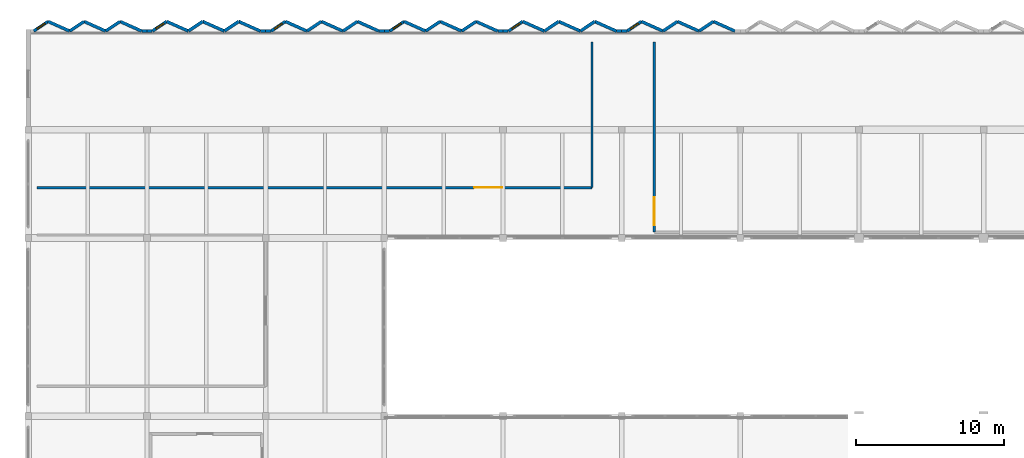
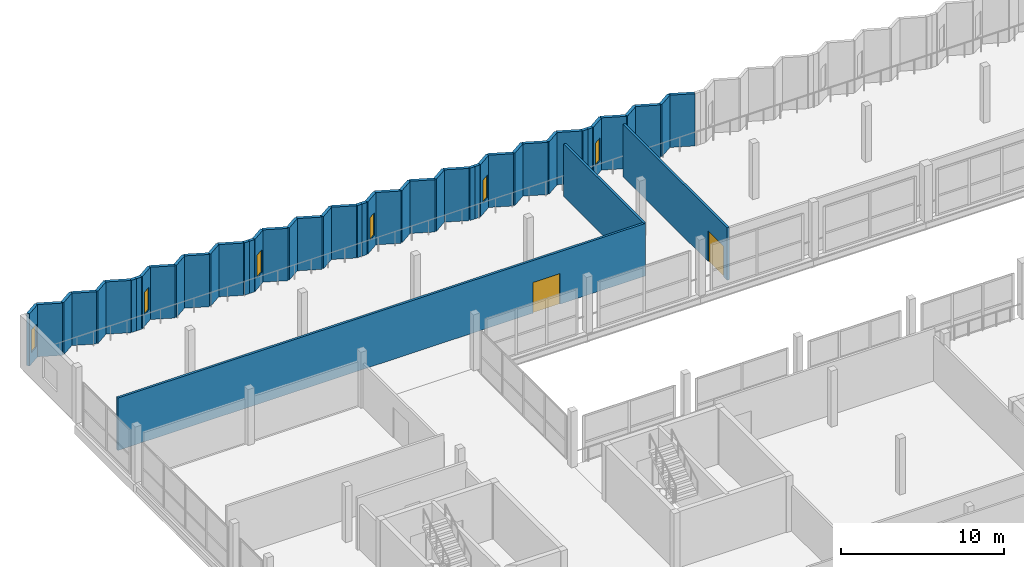
# One storey, part 40 of 53: 49 walls, 6 windows, 2 doors, 8 openings.
"""IFC4 building model written with IfcOpenShell, lengths in metres."""

from ifc_helpers import new_model, si_unit, direction, frame, frame_2d, origin, place, context, subcontext, project, spatial, rectangle, extrude, material, layer, layer_set, type_object, element, fill, save


model = new_model("IFC4")

# Units and contexts
model_context = context("Model", 3, precision=1e-05, world=origin(), true_north=direction((0.0, 1.0)))
body_context = subcontext(model_context, "Body", "Model", "MODEL_VIEW")
ifc_project = project(units=[si_unit("LENGTHUNIT", "METRE"), si_unit("AREAUNIT", "SQUARE_METRE"), si_unit("VOLUMEUNIT", "CUBIC_METRE"), si_unit("PLANEANGLEUNIT", "RADIAN"), si_unit("MASSUNIT", "GRAM", prefix="KILO")], contexts=[model_context])

# Site, building, storey
site_placement = place(None, origin())
site = spatial("IfcSite", under=ifc_project, at=site_placement, CompositionType="ELEMENT")
building_placement = place(site_placement, origin())
building = spatial("IfcBuilding", under=site, at=building_placement, Name="Vharandega Faculty of Natural Sciences", CompositionType="ELEMENT")
storey_placement = place(building_placement, frame((0.0, 0.0, 10.199951171875)))
storey = spatial("IfcBuildingStorey", under=building, at=storey_placement, Name="L02", CompositionType="ELEMENT", Elevation=10.199951171875)

# Walls
ifc_material_1 = material(Name="Precast concrete C40/50", Category="concrete")
ifc_layer_1 = layer(ifc_material_1, 0.2099609375, Name="Precast concrete C40/50")
ifc_layer_set_1 = layer_set([ifc_layer_1], Name="Precast concrete C40/50")
wall_type_1 = type_object("IfcWallType", Name="Commons Sawtooth Street Wall 210", PredefinedType="SOLIDWALL", material=ifc_layer_set_1)
for number, where, z_axis, x_axis, name in (
    (1, (7.64990234375, 110.949951171875, 0.0), (0.0, 0.0, 1.0), (1.0, 0.0, 0.0), "Exterior Wall EW-V2SHL-L02-2R"),
    (2, (8.0, 110.949951171875, 0.0), (0.0, 0.0, 1.0), (1.0, 0.0, 0.0), "Exterior Wall EW-V2SHL-L02-2L"),
    (3, (15.64990234375, 110.949951171875, 0.0), (0.0, 0.0, 1.0), (1.0, 0.0, 0.0), "Exterior Wall EW-V2SHL-L02-3R"),
    (4, (16.0, 110.949951171875, 0.0), (0.0, 0.0, 1.0), (1.0, 0.0, 0.0), "Exterior Wall EW-V2SHL-L02-3L"),
    (5, (23.64990234375, 110.949951171875, 0.0), (0.0, 0.0, 1.0), (1.0, 0.0, 0.0), "Exterior Wall EW-V2SHL-L02-4R"),
    (6, (24.0, 110.949951171875, 0.0), (0.0, 0.0, 1.0), (1.0, 0.0, 0.0), "Exterior Wall EW-V2SHL-L02-4L"),
    (7, (31.64990234375, 110.949951171875, 0.0), (0.0, 0.0, 1.0), (1.0, 0.0, 0.0), "Exterior Wall EW-V2SHL-L02-5R"),
    (8, (32.0, 110.949951171875, 0.0), (0.0, 0.0, 1.0), (1.0, 0.0, 0.0), "Exterior Wall EW-V2SHL-L02-5L"),
    (9, (39.64990234375, 110.949951171875, 0.0), (0.0, 0.0, 1.0), (1.0, 0.0, 0.0), "Exterior Wall EW-V2SHL-L02-6R"),
    (10, (40.0, 110.949951171875, 0.0), (0.0, 0.0, 1.0), (1.0, 0.0, 0.0), "Exterior Wall EW-V2SHL-L02-6L"),
):
    element("IfcWall", number, at=place(storey_placement, frame(where, z_axis=z_axis, x_axis=x_axis)), inside=storey, type_object=wall_type_1, Name=name, PredefinedType="SOLIDWALL", context=body_context, shape_type="SweptSolid", body=[
        extrude(rectangle(XDim=0.35009765625, YDim=0.2099609375, at=frame_2d((0.175048828125, 0.0))), origin(), (0.0, 0.0, 1.0), 3.920166015625),
    ])

# Wall, opening, window
wall_1_placement = place(storey_placement, frame((0.360107421875, 110.949951171875, 0.0), z_axis=(0.0, 0.0, 1.0), x_axis=(0.830858868059, 0.556483190553, 0.0)))
wall_1 = element("IfcWall", 11, at=wall_1_placement, inside=storey, type_object=wall_type_1, Name="Exterior Wall EW-V2SAW-L02-01G", PredefinedType="SOLIDWALL", context=body_context, shape_type="SweptSolid", body=[
    extrude(rectangle(XDim=1.168212890625, YDim=0.2099609375, at=frame_2d((0.583984375, 0.0))), origin(), (0.0, 0.0, 1.0), 3.920166015625),
])
opening_1_placement = place(wall_1_placement, frame((0.280029296875, 0.0, 0.85009765625)))
opening_1 = element("IfcOpeningElement", 12, at=opening_1_placement, cuts=wall_1, Name="Opening WN-07", PredefinedType="OPENING", context=body_context, shape_type="SweptSolid", body=[
    extrude(rectangle(XDim=0.64990234375, YDim=1.699951171875, at=frame_2d((0.324951171875, 0.85009765625))), frame((0.0, 0.114990234375, 0.0), z_axis=(0.0, -1.0, 0.0), x_axis=(1.0, 0.0, 0.0)), (0.0, 0.0, 1.0), 0.22998046875),
])
ifc_material_2 = material(Name="Double-glazed solar-control glass in thermally broken aluminium frame", Category="aluminium")
window_type = type_object("IfcWindowType", Name="WIN-COM-065x170", PartitioningType="SINGLE_PANEL", PredefinedType="WINDOW", material=ifc_material_2)
window_1_placement = place(opening_1_placement, origin())
window_1 = element("IfcWindow", 13, at=window_1_placement, inside=storey, type_object=window_type, Name="Window WIN-L02-0172", OverallHeight=1.699951171875, OverallWidth=0.64990234375, PartitioningType="SINGLE_PANEL", PredefinedType="WINDOW", context=body_context, shape_type="SweptSolid", body=[
    extrude(rectangle(XDim=0.64990234375, YDim=1.699951171875, at=frame_2d((0.324951171875, 0.85009765625))), frame((0.0, 0.030029296875, 0.0), z_axis=(0.0, -1.0, 0.0), x_axis=(1.0, 0.0, 0.0)), (0.0, 0.0, 1.0), 0.06005859375),
])
fill(opening_1, window_1)

# Walls
wall_2_placement = place(storey_placement, frame((1.330810546875, 111.60009765625, 0.0), z_axis=(0.0, 0.0, 1.0), x_axis=(0.913083928543, -0.407771675618, 0.0)))
element("IfcWall", 14, at=wall_2_placement, inside=storey, type_object=wall_type_1, Name="Exterior Wall EW-V2SAW-L02-01S", PredefinedType="SOLIDWALL", context=body_context, shape_type="SweptSolid", body=[
    extrude(rectangle(XDim=1.594482421875, YDim=0.2099609375, at=frame_2d((0.79736328125, 0.0))), origin(), (0.0, 0.0, 1.0), 3.920166015625),
])
wall_3_placement = place(storey_placement, frame((2.78662109375, 110.949951171875, 0.0), z_axis=(0.0, 0.0, 1.0), x_axis=(0.830858868059, 0.556483190553, 0.0)))
element("IfcWall", 15, at=wall_3_placement, inside=storey, type_object=wall_type_1, Name="Exterior Wall EW-V2SAW-L02-02G", PredefinedType="SOLIDWALL", context=body_context, shape_type="SweptSolid", body=[
    extrude(rectangle(XDim=1.168212890625, YDim=0.2099609375, at=frame_2d((0.583984375, 0.0))), origin(), (0.0, 0.0, 1.0), 3.920166015625),
])
wall_4_placement = place(storey_placement, frame((3.75732421875, 111.60009765625, 0.0), z_axis=(0.0, 0.0, 1.0), x_axis=(0.913109384471, -0.407714669826, 0.0)))
element("IfcWall", 16, at=wall_4_placement, inside=storey, type_object=wall_type_1, Name="Exterior Wall EW-V2SAW-L02-02S", PredefinedType="SOLIDWALL", context=body_context, shape_type="SweptSolid", body=[
    extrude(rectangle(XDim=1.5947265625, YDim=0.2099609375, at=frame_2d((0.79736328125, 0.0))), origin(), (0.0, 0.0, 1.0), 3.920166015625),
])
wall_5_placement = place(storey_placement, frame((5.21337890625, 110.949951171875, 0.0), z_axis=(0.0, 0.0, 1.0), x_axis=(0.830858868059, 0.556483190553, 0.0)))
element("IfcWall", 17, at=wall_5_placement, inside=storey, type_object=wall_type_1, Name="Exterior Wall EW-V2SAW-L02-03G", PredefinedType="SOLIDWALL", context=body_context, shape_type="SweptSolid", body=[
    extrude(rectangle(XDim=1.168212890625, YDim=0.2099609375, at=frame_2d((0.583984375, 0.0))), origin(), (0.0, 0.0, 1.0), 3.920166015625),
])
wall_6_placement = place(storey_placement, frame((6.18408203125, 111.60009765625, 0.0), z_axis=(0.0, 0.0, 1.0), x_axis=(0.913083928543, -0.407771675618, 0.0)))
element("IfcWall", 18, at=wall_6_placement, inside=storey, type_object=wall_type_1, Name="Exterior Wall EW-V2SAW-L02-03S", PredefinedType="SOLIDWALL", context=body_context, shape_type="SweptSolid", body=[
    extrude(rectangle(XDim=1.594482421875, YDim=0.2099609375, at=frame_2d((0.79736328125, 0.0))), origin(), (0.0, 0.0, 1.0), 3.920166015625),
])

# Wall, opening, window
wall_7_placement = place(storey_placement, frame((8.360107421875, 110.949951171875, 0.0), z_axis=(0.0, 0.0, 1.0), x_axis=(0.830858868059, 0.556483190553, 0.0)))
wall_7 = element("IfcWall", 19, at=wall_7_placement, inside=storey, type_object=wall_type_1, Name="Exterior Wall EW-V2SAW-L02-04G", PredefinedType="SOLIDWALL", context=body_context, shape_type="SweptSolid", body=[
    extrude(rectangle(XDim=1.168212890625, YDim=0.2099609375, at=frame_2d((0.583984375, 0.0))), origin(), (0.0, 0.0, 1.0), 3.920166015625),
])
opening_2_placement = place(wall_7_placement, frame((0.280029296875, 0.0, 0.85009765625)))
opening_2 = element("IfcOpeningElement", 20, at=opening_2_placement, cuts=wall_7, Name="Opening WN-07", PredefinedType="OPENING", context=body_context, shape_type="SweptSolid", body=[
    extrude(rectangle(XDim=0.64990234375, YDim=1.699951171875, at=frame_2d((0.324951171875, 0.85009765625))), frame((0.0, 0.114990234375, 0.0), z_axis=(0.0, -1.0, 0.0), x_axis=(1.0, 0.0, 0.0)), (0.0, 0.0, 1.0), 0.22998046875),
])
window_2_placement = place(opening_2_placement, origin())
window_2 = element("IfcWindow", 21, at=window_2_placement, inside=storey, type_object=window_type, Name="Window WIN-L02-0173", OverallHeight=1.699951171875, OverallWidth=0.64990234375, PartitioningType="SINGLE_PANEL", PredefinedType="WINDOW", context=body_context, shape_type="SweptSolid", body=[
    extrude(rectangle(XDim=0.64990234375, YDim=1.699951171875, at=frame_2d((0.324951171875, 0.85009765625))), frame((0.0, 0.030029296875, 0.0), z_axis=(0.0, -1.0, 0.0), x_axis=(1.0, 0.0, 0.0)), (0.0, 0.0, 1.0), 0.06005859375),
])
fill(opening_2, window_2)

# Walls
wall_8_placement = place(storey_placement, frame((9.330810546875, 111.60009765625, 0.0), z_axis=(0.0, 0.0, 1.0), x_axis=(0.913083928543, -0.407771675618, 0.0)))
element("IfcWall", 22, at=wall_8_placement, inside=storey, type_object=wall_type_1, Name="Exterior Wall EW-V2SAW-L02-04S", PredefinedType="SOLIDWALL", context=body_context, shape_type="SweptSolid", body=[
    extrude(rectangle(XDim=1.594482421875, YDim=0.2099609375, at=frame_2d((0.79736328125, 0.0))), origin(), (0.0, 0.0, 1.0), 3.920166015625),
])
wall_9_placement = place(storey_placement, frame((10.78662109375, 110.949951171875, 0.0), z_axis=(0.0, 0.0, 1.0), x_axis=(0.830858868059, 0.556483190553, 0.0)))
element("IfcWall", 23, at=wall_9_placement, inside=storey, type_object=wall_type_1, Name="Exterior Wall EW-V2SAW-L02-05G", PredefinedType="SOLIDWALL", context=body_context, shape_type="SweptSolid", body=[
    extrude(rectangle(XDim=1.168212890625, YDim=0.2099609375, at=frame_2d((0.583984375, 0.0))), origin(), (0.0, 0.0, 1.0), 3.920166015625),
])
wall_10_placement = place(storey_placement, frame((11.75732421875, 111.60009765625, 0.0), z_axis=(0.0, 0.0, 1.0), x_axis=(0.913109384471, -0.407714669826, 0.0)))
element("IfcWall", 24, at=wall_10_placement, inside=storey, type_object=wall_type_1, Name="Exterior Wall EW-V2SAW-L02-05S", PredefinedType="SOLIDWALL", context=body_context, shape_type="SweptSolid", body=[
    extrude(rectangle(XDim=1.5947265625, YDim=0.2099609375, at=frame_2d((0.79736328125, 0.0))), origin(), (0.0, 0.0, 1.0), 3.920166015625),
])
wall_11_placement = place(storey_placement, frame((13.21337890625, 110.949951171875, 0.0), z_axis=(0.0, 0.0, 1.0), x_axis=(0.830858868059, 0.556483190553, 0.0)))
element("IfcWall", 25, at=wall_11_placement, inside=storey, type_object=wall_type_1, Name="Exterior Wall EW-V2SAW-L02-06G", PredefinedType="SOLIDWALL", context=body_context, shape_type="SweptSolid", body=[
    extrude(rectangle(XDim=1.168212890625, YDim=0.2099609375, at=frame_2d((0.583984375, 0.0))), origin(), (0.0, 0.0, 1.0), 3.920166015625),
])
wall_12_placement = place(storey_placement, frame((14.18408203125, 111.60009765625, 0.0), z_axis=(0.0, 0.0, 1.0), x_axis=(0.913083928543, -0.407771675618, 0.0)))
element("IfcWall", 26, at=wall_12_placement, inside=storey, type_object=wall_type_1, Name="Exterior Wall EW-V2SAW-L02-06S", PredefinedType="SOLIDWALL", context=body_context, shape_type="SweptSolid", body=[
    extrude(rectangle(XDim=1.594482421875, YDim=0.2099609375, at=frame_2d((0.79736328125, 0.0))), origin(), (0.0, 0.0, 1.0), 3.920166015625),
])

# Wall, opening, window
wall_13_placement = place(storey_placement, frame((16.360107421875, 110.949951171875, 0.0), z_axis=(0.0, 0.0, 1.0), x_axis=(0.830858868059, 0.556483190553, 0.0)))
wall_13 = element("IfcWall", 27, at=wall_13_placement, inside=storey, type_object=wall_type_1, Name="Exterior Wall EW-V2SAW-L02-07G", PredefinedType="SOLIDWALL", context=body_context, shape_type="SweptSolid", body=[
    extrude(rectangle(XDim=1.168212890625, YDim=0.2099609375, at=frame_2d((0.583984375, 0.0))), origin(), (0.0, 0.0, 1.0), 3.920166015625),
])
opening_3_placement = place(wall_13_placement, frame((0.280029296875, 0.0, 0.85009765625)))
opening_3 = element("IfcOpeningElement", 28, at=opening_3_placement, cuts=wall_13, Name="Opening WN-07", PredefinedType="OPENING", context=body_context, shape_type="SweptSolid", body=[
    extrude(rectangle(XDim=0.64990234375, YDim=1.699951171875, at=frame_2d((0.324951171875, 0.85009765625))), frame((0.0, 0.114990234375, 0.0), z_axis=(0.0, -1.0, 0.0), x_axis=(1.0, 0.0, 0.0)), (0.0, 0.0, 1.0), 0.22998046875),
])
window_3_placement = place(opening_3_placement, origin())
window_3 = element("IfcWindow", 29, at=window_3_placement, inside=storey, type_object=window_type, Name="Window WIN-L02-0174", OverallHeight=1.699951171875, OverallWidth=0.64990234375, PartitioningType="SINGLE_PANEL", PredefinedType="WINDOW", context=body_context, shape_type="SweptSolid", body=[
    extrude(rectangle(XDim=0.64990234375, YDim=1.699951171875, at=frame_2d((0.324951171875, 0.85009765625))), frame((0.0, 0.030029296875, 0.0), z_axis=(0.0, -1.0, 0.0), x_axis=(1.0, 0.0, 0.0)), (0.0, 0.0, 1.0), 0.06005859375),
])
fill(opening_3, window_3)

# Walls
wall_14_placement = place(storey_placement, frame((17.330810546875, 111.60009765625, 0.0), z_axis=(0.0, 0.0, 1.0), x_axis=(0.913083928543, -0.407771675618, 0.0)))
element("IfcWall", 30, at=wall_14_placement, inside=storey, type_object=wall_type_1, Name="Exterior Wall EW-V2SAW-L02-07S", PredefinedType="SOLIDWALL", context=body_context, shape_type="SweptSolid", body=[
    extrude(rectangle(XDim=1.594482421875, YDim=0.2099609375, at=frame_2d((0.79736328125, 0.0))), origin(), (0.0, 0.0, 1.0), 3.920166015625),
])
wall_15_placement = place(storey_placement, frame((18.78662109375, 110.949951171875, 0.0), z_axis=(0.0, 0.0, 1.0), x_axis=(0.830858868059, 0.556483190553, 0.0)))
element("IfcWall", 31, at=wall_15_placement, inside=storey, type_object=wall_type_1, Name="Exterior Wall EW-V2SAW-L02-08G", PredefinedType="SOLIDWALL", context=body_context, shape_type="SweptSolid", body=[
    extrude(rectangle(XDim=1.168212890625, YDim=0.2099609375, at=frame_2d((0.583984375, 0.0))), origin(), (0.0, 0.0, 1.0), 3.920166015625),
])
wall_16_placement = place(storey_placement, frame((19.75732421875, 111.60009765625, 0.0), z_axis=(0.0, 0.0, 1.0), x_axis=(0.913109384471, -0.407714669826, 0.0)))
element("IfcWall", 32, at=wall_16_placement, inside=storey, type_object=wall_type_1, Name="Exterior Wall EW-V2SAW-L02-08S", PredefinedType="SOLIDWALL", context=body_context, shape_type="SweptSolid", body=[
    extrude(rectangle(XDim=1.5947265625, YDim=0.2099609375, at=frame_2d((0.79736328125, 0.0))), origin(), (0.0, 0.0, 1.0), 3.920166015625),
])
wall_17_placement = place(storey_placement, frame((21.21337890625, 110.949951171875, 0.0), z_axis=(0.0, 0.0, 1.0), x_axis=(0.830858868059, 0.556483190553, 0.0)))
element("IfcWall", 33, at=wall_17_placement, inside=storey, type_object=wall_type_1, Name="Exterior Wall EW-V2SAW-L02-09G", PredefinedType="SOLIDWALL", context=body_context, shape_type="SweptSolid", body=[
    extrude(rectangle(XDim=1.168212890625, YDim=0.2099609375, at=frame_2d((0.583984375, 0.0))), origin(), (0.0, 0.0, 1.0), 3.920166015625),
])
wall_18_placement = place(storey_placement, frame((22.18408203125, 111.60009765625, 0.0), z_axis=(0.0, 0.0, 1.0), x_axis=(0.913083928543, -0.407771675618, 0.0)))
element("IfcWall", 34, at=wall_18_placement, inside=storey, type_object=wall_type_1, Name="Exterior Wall EW-V2SAW-L02-09S", PredefinedType="SOLIDWALL", context=body_context, shape_type="SweptSolid", body=[
    extrude(rectangle(XDim=1.594482421875, YDim=0.2099609375, at=frame_2d((0.79736328125, 0.0))), origin(), (0.0, 0.0, 1.0), 3.920166015625),
])

# Wall, opening, window
wall_19_placement = place(storey_placement, frame((24.360107421875, 110.949951171875, 0.0), z_axis=(0.0, 0.0, 1.0), x_axis=(0.830858868059, 0.556483190553, 0.0)))
wall_19 = element("IfcWall", 35, at=wall_19_placement, inside=storey, type_object=wall_type_1, Name="Exterior Wall EW-V2SAW-L02-10G", PredefinedType="SOLIDWALL", context=body_context, shape_type="SweptSolid", body=[
    extrude(rectangle(XDim=1.168212890625, YDim=0.2099609375, at=frame_2d((0.583984375, 0.0))), origin(), (0.0, 0.0, 1.0), 3.920166015625),
])
opening_4_placement = place(wall_19_placement, frame((0.280029296875, 0.0, 0.85009765625)))
opening_4 = element("IfcOpeningElement", 36, at=opening_4_placement, cuts=wall_19, Name="Opening WN-07", PredefinedType="OPENING", context=body_context, shape_type="SweptSolid", body=[
    extrude(rectangle(XDim=0.64990234375, YDim=1.699951171875, at=frame_2d((0.324951171875, 0.85009765625))), frame((0.0, 0.114990234375, 0.0), z_axis=(0.0, -1.0, 0.0), x_axis=(1.0, 0.0, 0.0)), (0.0, 0.0, 1.0), 0.22998046875),
])
window_4_placement = place(opening_4_placement, origin())
window_4 = element("IfcWindow", 37, at=window_4_placement, inside=storey, type_object=window_type, Name="Window WIN-L02-0175", OverallHeight=1.699951171875, OverallWidth=0.64990234375, PartitioningType="SINGLE_PANEL", PredefinedType="WINDOW", context=body_context, shape_type="SweptSolid", body=[
    extrude(rectangle(XDim=0.64990234375, YDim=1.699951171875, at=frame_2d((0.324951171875, 0.85009765625))), frame((0.0, 0.030029296875, 0.0), z_axis=(0.0, -1.0, 0.0), x_axis=(1.0, 0.0, 0.0)), (0.0, 0.0, 1.0), 0.06005859375),
])
fill(opening_4, window_4)

# Walls
wall_20_placement = place(storey_placement, frame((25.330810546875, 111.60009765625, 0.0), z_axis=(0.0, 0.0, 1.0), x_axis=(0.913083928543, -0.407771675618, 0.0)))
element("IfcWall", 38, at=wall_20_placement, inside=storey, type_object=wall_type_1, Name="Exterior Wall EW-V2SAW-L02-10S", PredefinedType="SOLIDWALL", context=body_context, shape_type="SweptSolid", body=[
    extrude(rectangle(XDim=1.594482421875, YDim=0.2099609375, at=frame_2d((0.79736328125, 0.0))), origin(), (0.0, 0.0, 1.0), 3.920166015625),
])
wall_21_placement = place(storey_placement, frame((26.78662109375, 110.949951171875, 0.0), z_axis=(0.0, 0.0, 1.0), x_axis=(0.830858868059, 0.556483190553, 0.0)))
element("IfcWall", 39, at=wall_21_placement, inside=storey, type_object=wall_type_1, Name="Exterior Wall EW-V2SAW-L02-11G", PredefinedType="SOLIDWALL", context=body_context, shape_type="SweptSolid", body=[
    extrude(rectangle(XDim=1.168212890625, YDim=0.2099609375, at=frame_2d((0.583984375, 0.0))), origin(), (0.0, 0.0, 1.0), 3.920166015625),
])
wall_22_placement = place(storey_placement, frame((27.75732421875, 111.60009765625, 0.0), z_axis=(0.0, 0.0, 1.0), x_axis=(0.913109384471, -0.407714669826, 0.0)))
element("IfcWall", 40, at=wall_22_placement, inside=storey, type_object=wall_type_1, Name="Exterior Wall EW-V2SAW-L02-11S", PredefinedType="SOLIDWALL", context=body_context, shape_type="SweptSolid", body=[
    extrude(rectangle(XDim=1.5947265625, YDim=0.2099609375, at=frame_2d((0.79736328125, 0.0))), origin(), (0.0, 0.0, 1.0), 3.920166015625),
])
wall_23_placement = place(storey_placement, frame((29.21337890625, 110.949951171875, 0.0), z_axis=(0.0, 0.0, 1.0), x_axis=(0.830858868059, 0.556483190553, 0.0)))
element("IfcWall", 41, at=wall_23_placement, inside=storey, type_object=wall_type_1, Name="Exterior Wall EW-V2SAW-L02-12G", PredefinedType="SOLIDWALL", context=body_context, shape_type="SweptSolid", body=[
    extrude(rectangle(XDim=1.168212890625, YDim=0.2099609375, at=frame_2d((0.583984375, 0.0))), origin(), (0.0, 0.0, 1.0), 3.920166015625),
])
wall_24_placement = place(storey_placement, frame((30.18408203125, 111.60009765625, 0.0), z_axis=(0.0, 0.0, 1.0), x_axis=(0.913083928543, -0.407771675618, 0.0)))
element("IfcWall", 42, at=wall_24_placement, inside=storey, type_object=wall_type_1, Name="Exterior Wall EW-V2SAW-L02-12S", PredefinedType="SOLIDWALL", context=body_context, shape_type="SweptSolid", body=[
    extrude(rectangle(XDim=1.594482421875, YDim=0.2099609375, at=frame_2d((0.79736328125, 0.0))), origin(), (0.0, 0.0, 1.0), 3.920166015625),
])

# Wall, opening, window
wall_25_placement = place(storey_placement, frame((32.360107421875, 110.949951171875, 0.0), z_axis=(0.0, 0.0, 1.0), x_axis=(0.830858868059, 0.556483190553, 0.0)))
wall_25 = element("IfcWall", 43, at=wall_25_placement, inside=storey, type_object=wall_type_1, Name="Exterior Wall EW-V2SAW-L02-13G", PredefinedType="SOLIDWALL", context=body_context, shape_type="SweptSolid", body=[
    extrude(rectangle(XDim=1.168212890625, YDim=0.2099609375, at=frame_2d((0.583984375, 0.0))), origin(), (0.0, 0.0, 1.0), 3.920166015625),
])
opening_5_placement = place(wall_25_placement, frame((0.280029296875, 0.0, 0.85009765625)))
opening_5 = element("IfcOpeningElement", 44, at=opening_5_placement, cuts=wall_25, Name="Opening WN-07", PredefinedType="OPENING", context=body_context, shape_type="SweptSolid", body=[
    extrude(rectangle(XDim=0.64990234375, YDim=1.699951171875, at=frame_2d((0.324951171875, 0.85009765625))), frame((0.0, 0.114990234375, 0.0), z_axis=(0.0, -1.0, 0.0), x_axis=(1.0, 0.0, 0.0)), (0.0, 0.0, 1.0), 0.22998046875),
])
window_5_placement = place(opening_5_placement, origin())
window_5 = element("IfcWindow", 45, at=window_5_placement, inside=storey, type_object=window_type, Name="Window WIN-L02-0176", OverallHeight=1.699951171875, OverallWidth=0.64990234375, PartitioningType="SINGLE_PANEL", PredefinedType="WINDOW", context=body_context, shape_type="SweptSolid", body=[
    extrude(rectangle(XDim=0.64990234375, YDim=1.699951171875, at=frame_2d((0.324951171875, 0.85009765625))), frame((0.0, 0.030029296875, 0.0), z_axis=(0.0, -1.0, 0.0), x_axis=(1.0, 0.0, 0.0)), (0.0, 0.0, 1.0), 0.06005859375),
])
fill(opening_5, window_5)

# Walls
wall_26_placement = place(storey_placement, frame((33.330810546875, 111.60009765625, 0.0), z_axis=(0.0, 0.0, 1.0), x_axis=(0.913083928543, -0.407771675618, 0.0)))
element("IfcWall", 46, at=wall_26_placement, inside=storey, type_object=wall_type_1, Name="Exterior Wall EW-V2SAW-L02-13S", PredefinedType="SOLIDWALL", context=body_context, shape_type="SweptSolid", body=[
    extrude(rectangle(XDim=1.594482421875, YDim=0.2099609375, at=frame_2d((0.79736328125, 0.0))), origin(), (0.0, 0.0, 1.0), 3.920166015625),
])
wall_27_placement = place(storey_placement, frame((34.78662109375, 110.949951171875, 0.0), z_axis=(0.0, 0.0, 1.0), x_axis=(0.830858868059, 0.556483190553, 0.0)))
element("IfcWall", 47, at=wall_27_placement, inside=storey, type_object=wall_type_1, Name="Exterior Wall EW-V2SAW-L02-14G", PredefinedType="SOLIDWALL", context=body_context, shape_type="SweptSolid", body=[
    extrude(rectangle(XDim=1.168212890625, YDim=0.2099609375, at=frame_2d((0.583984375, 0.0))), origin(), (0.0, 0.0, 1.0), 3.920166015625),
])
wall_28_placement = place(storey_placement, frame((35.75732421875, 111.60009765625, 0.0), z_axis=(0.0, 0.0, 1.0), x_axis=(0.913109384471, -0.407714669826, 0.0)))
element("IfcWall", 48, at=wall_28_placement, inside=storey, type_object=wall_type_1, Name="Exterior Wall EW-V2SAW-L02-14S", PredefinedType="SOLIDWALL", context=body_context, shape_type="SweptSolid", body=[
    extrude(rectangle(XDim=1.5947265625, YDim=0.2099609375, at=frame_2d((0.79736328125, 0.0))), origin(), (0.0, 0.0, 1.0), 3.920166015625),
])
wall_29_placement = place(storey_placement, frame((37.21337890625, 110.949951171875, 0.0), z_axis=(0.0, 0.0, 1.0), x_axis=(0.830858868059, 0.556483190553, 0.0)))
element("IfcWall", 49, at=wall_29_placement, inside=storey, type_object=wall_type_1, Name="Exterior Wall EW-V2SAW-L02-15G", PredefinedType="SOLIDWALL", context=body_context, shape_type="SweptSolid", body=[
    extrude(rectangle(XDim=1.168212890625, YDim=0.2099609375, at=frame_2d((0.583984375, 0.0))), origin(), (0.0, 0.0, 1.0), 3.920166015625),
])
wall_30_placement = place(storey_placement, frame((38.18408203125, 111.60009765625, 0.0), z_axis=(0.0, 0.0, 1.0), x_axis=(0.913083928543, -0.407771675618, 0.0)))
element("IfcWall", 50, at=wall_30_placement, inside=storey, type_object=wall_type_1, Name="Exterior Wall EW-V2SAW-L02-15S", PredefinedType="SOLIDWALL", context=body_context, shape_type="SweptSolid", body=[
    extrude(rectangle(XDim=1.594482421875, YDim=0.2099609375, at=frame_2d((0.79736328125, 0.0))), origin(), (0.0, 0.0, 1.0), 3.920166015625),
])

# Wall, opening, window
wall_31_placement = place(storey_placement, frame((40.360107421875, 110.949951171875, 0.0), z_axis=(0.0, 0.0, 1.0), x_axis=(0.830858868059, 0.556483190553, 0.0)))
wall_31 = element("IfcWall", 51, at=wall_31_placement, inside=storey, type_object=wall_type_1, Name="Exterior Wall EW-V2SAW-L02-16G", PredefinedType="SOLIDWALL", context=body_context, shape_type="SweptSolid", body=[
    extrude(rectangle(XDim=1.168212890625, YDim=0.2099609375, at=frame_2d((0.583984375, 0.0))), origin(), (0.0, 0.0, 1.0), 3.920166015625),
])
opening_6_placement = place(wall_31_placement, frame((0.280029296875, 0.0, 0.85009765625)))
opening_6 = element("IfcOpeningElement", 52, at=opening_6_placement, cuts=wall_31, Name="Opening WN-07", PredefinedType="OPENING", context=body_context, shape_type="SweptSolid", body=[
    extrude(rectangle(XDim=0.64990234375, YDim=1.699951171875, at=frame_2d((0.324951171875, 0.85009765625))), frame((0.0, 0.114990234375, 0.0), z_axis=(0.0, -1.0, 0.0), x_axis=(1.0, 0.0, 0.0)), (0.0, 0.0, 1.0), 0.22998046875),
])
window_6_placement = place(opening_6_placement, origin())
window_6 = element("IfcWindow", 53, at=window_6_placement, inside=storey, type_object=window_type, Name="Window WIN-L02-0177", OverallHeight=1.699951171875, OverallWidth=0.64990234375, PartitioningType="SINGLE_PANEL", PredefinedType="WINDOW", context=body_context, shape_type="SweptSolid", body=[
    extrude(rectangle(XDim=0.64990234375, YDim=1.699951171875, at=frame_2d((0.324951171875, 0.85009765625))), frame((0.0, 0.030029296875, 0.0), z_axis=(0.0, -1.0, 0.0), x_axis=(1.0, 0.0, 0.0)), (0.0, 0.0, 1.0), 0.06005859375),
])
fill(opening_6, window_6)

# Walls
wall_32_placement = place(storey_placement, frame((41.330810546875, 111.60009765625, 0.0), z_axis=(0.0, 0.0, 1.0), x_axis=(0.913083928543, -0.407771675618, 0.0)))
element("IfcWall", 54, at=wall_32_placement, inside=storey, type_object=wall_type_1, Name="Exterior Wall EW-V2SAW-L02-16S", PredefinedType="SOLIDWALL", context=body_context, shape_type="SweptSolid", body=[
    extrude(rectangle(XDim=1.594482421875, YDim=0.2099609375, at=frame_2d((0.79736328125, 0.0))), origin(), (0.0, 0.0, 1.0), 3.920166015625),
])
wall_33_placement = place(storey_placement, frame((42.78662109375, 110.949951171875, 0.0), z_axis=(0.0, 0.0, 1.0), x_axis=(0.830858868059, 0.556483190553, 0.0)))
element("IfcWall", 55, at=wall_33_placement, inside=storey, type_object=wall_type_1, Name="Exterior Wall EW-V2SAW-L02-17G", PredefinedType="SOLIDWALL", context=body_context, shape_type="SweptSolid", body=[
    extrude(rectangle(XDim=1.168212890625, YDim=0.2099609375, at=frame_2d((0.583984375, 0.0))), origin(), (0.0, 0.0, 1.0), 3.920166015625),
])
wall_34_placement = place(storey_placement, frame((43.75732421875, 111.60009765625, 0.0), z_axis=(0.0, 0.0, 1.0), x_axis=(0.913109384471, -0.407714669826, 0.0)))
element("IfcWall", 56, at=wall_34_placement, inside=storey, type_object=wall_type_1, Name="Exterior Wall EW-V2SAW-L02-17S", PredefinedType="SOLIDWALL", context=body_context, shape_type="SweptSolid", body=[
    extrude(rectangle(XDim=1.5947265625, YDim=0.2099609375, at=frame_2d((0.79736328125, 0.0))), origin(), (0.0, 0.0, 1.0), 3.920166015625),
])
wall_35_placement = place(storey_placement, frame((45.21337890625, 110.949951171875, 0.0), z_axis=(0.0, 0.0, 1.0), x_axis=(0.830858868059, 0.556483190553, 0.0)))
element("IfcWall", 57, at=wall_35_placement, inside=storey, type_object=wall_type_1, Name="Exterior Wall EW-V2SAW-L02-18G", PredefinedType="SOLIDWALL", context=body_context, shape_type="SweptSolid", body=[
    extrude(rectangle(XDim=1.168212890625, YDim=0.2099609375, at=frame_2d((0.583984375, 0.0))), origin(), (0.0, 0.0, 1.0), 3.920166015625),
])
wall_36_placement = place(storey_placement, frame((46.18408203125, 111.60009765625, 0.0), z_axis=(0.0, 0.0, 1.0), x_axis=(0.913083928543, -0.407771675618, 0.0)))
element("IfcWall", 58, at=wall_36_placement, inside=storey, type_object=wall_type_1, Name="Exterior Wall EW-V2SAW-L02-18S", PredefinedType="SOLIDWALL", context=body_context, shape_type="SweptSolid", body=[
    extrude(rectangle(XDim=1.594482421875, YDim=0.2099609375, at=frame_2d((0.79736328125, 0.0))), origin(), (0.0, 0.0, 1.0), 3.920166015625),
])

# Wall, opening, door
ifc_material_3 = material(Name="Gypsum fire-board on steel stud", Category="steel")
ifc_layer_2 = layer(ifc_material_3, 0.159912109375, Name="Gypsum fire-board on steel stud")
ifc_layer_set_2 = layer_set([ifc_layer_2], Name="Gypsum fire-board on steel stud")
wall_type_2 = type_object("IfcWallType", Name="Laboratory Fire Corridor Wall 160", PredefinedType="PARTITIONING", material=ifc_layer_set_2)
wall_37_placement = place(storey_placement, frame((0.60009765625, 100.39990234375, 0.0), z_axis=(0.0, 0.0, 1.0), x_axis=(1.0, 0.0, 0.0)))
wall_37 = element("IfcWall", 59, at=wall_37_placement, inside=storey, type_object=wall_type_2, Name="Interior Wall PW-L02-R10S", PredefinedType="PARTITIONING", context=body_context, shape_type="SweptSolid", body=[
    extrude(rectangle(XDim=37.39990234375, YDim=0.159912109375, at=frame_2d((18.699951171875, 0.0))), origin(), (0.0, 0.0, 1.0), 3.93994140625),
])
opening_7_placement = place(wall_37_placement, frame((29.449951171875, 0.0, 0.0)))
opening_7 = element("IfcOpeningElement", 60, at=opening_7_placement, cuts=wall_37, Name="Opening D0274", PredefinedType="OPENING", context=body_context, shape_type="SweptSolid", body=[
    extrude(rectangle(XDim=1.89990234375, YDim=2.300048828125, at=frame_2d((0.949951171875, 1.14990234375))), frame((0.0, 0.08984375, 0.0), z_axis=(0.0, -1.0, 0.0), x_axis=(1.0, 0.0, 0.0)), (0.0, 0.0, 1.0), 0.179931640625),
])
ifc_material_4 = material(Name="Solid-core hardwood timber fire door", Category="wood")
door_type = type_object("IfcDoorType", Name="ID08-COMMONS-DBL-1900x2300", OperationType="DOUBLE_DOOR_SINGLE_SWING", PredefinedType="DOOR", material=ifc_material_4)
door_1_placement = place(opening_7_placement, origin())
door_1 = element("IfcDoor", 61, at=door_1_placement, inside=storey, type_object=door_type, Name="Quiet Science Library Reading Room Door D0274", OperationType="DOUBLE_DOOR_SINGLE_SWING", OverallHeight=2.300048828125, OverallWidth=1.89990234375, PredefinedType="DOOR", context=body_context, shape_type="SweptSolid", body=[
    extrude(rectangle(XDim=1.89990234375, YDim=2.300048828125, at=frame_2d((0.949951171875, 1.14990234375))), frame((0.0, 0.02490234375, 0.0), z_axis=(0.0, -1.0, 0.0), x_axis=(1.0, 0.0, 0.0)), (0.0, 0.0, 1.0), 0.050048828125),
])
fill(opening_7, door_1)

# Wall
wall_38_placement = place(storey_placement, frame((38.0, 100.39990234375, 0.0), z_axis=(0.0, 0.0, 1.0), x_axis=(0.0, 1.0, 0.0)))
element("IfcWall", 62, at=wall_38_placement, inside=storey, type_object=wall_type_2, Name="Interior Wall PW-L02-R10E", PredefinedType="PARTITIONING", context=body_context, shape_type="SweptSolid", body=[
    extrude(rectangle(XDim=9.800048828125, YDim=0.159912109375, at=frame_2d((4.89990234375, 0.0))), origin(), (0.0, 0.0, 1.0), 3.93994140625),
])

# Wall, opening, door
wall_39_placement = place(storey_placement, frame((42.199951171875, 97.39990234375, 0.0), z_axis=(0.0, 0.0, 1.0), x_axis=(0.0, 1.0, 0.0)))
wall_39 = element("IfcWall", 63, at=wall_39_placement, inside=storey, type_object=wall_type_2, Name="Interior Wall PW-L02-R11W", PredefinedType="PARTITIONING", context=body_context, shape_type="SweptSolid", body=[
    extrude(rectangle(XDim=12.800048828125, YDim=0.159912109375, at=frame_2d((6.39990234375, 0.0))), origin(), (0.0, 0.0, 1.0), 3.93994140625),
])
opening_8_placement = place(wall_39_placement, frame((0.449951171875, 0.0, 0.0)))
opening_8 = element("IfcOpeningElement", 64, at=opening_8_placement, cuts=wall_39, Name="Opening D0275", PredefinedType="OPENING", context=body_context, shape_type="SweptSolid", body=[
    extrude(rectangle(XDim=1.89990234375, YDim=2.300048828125, at=frame_2d((0.949951171875, 1.14990234375))), frame((0.0, 0.08984375, 0.0), z_axis=(0.0, -1.0, 0.0), x_axis=(1.0, 0.0, 0.0)), (0.0, 0.0, 1.0), 0.179931640625),
])
door_2_placement = place(opening_8_placement, origin())
door_2 = element("IfcDoor", 65, at=door_2_placement, inside=storey, type_object=door_type, Name="Science Library Book Stacks Hall Door D0275", OperationType="DOUBLE_DOOR_SINGLE_SWING", OverallHeight=2.300048828125, OverallWidth=1.89990234375, PredefinedType="DOOR", context=body_context, shape_type="SweptSolid", body=[
    extrude(rectangle(XDim=1.89990234375, YDim=2.300048828125, at=frame_2d((0.949951171875, 1.14990234375))), frame((0.0, 0.02490234375, 0.0), z_axis=(0.0, -1.0, 0.0), x_axis=(1.0, 0.0, 0.0)), (0.0, 0.0, 1.0), 0.050048828125),
])
fill(opening_8, door_2)

save(model, "model.ifc")
